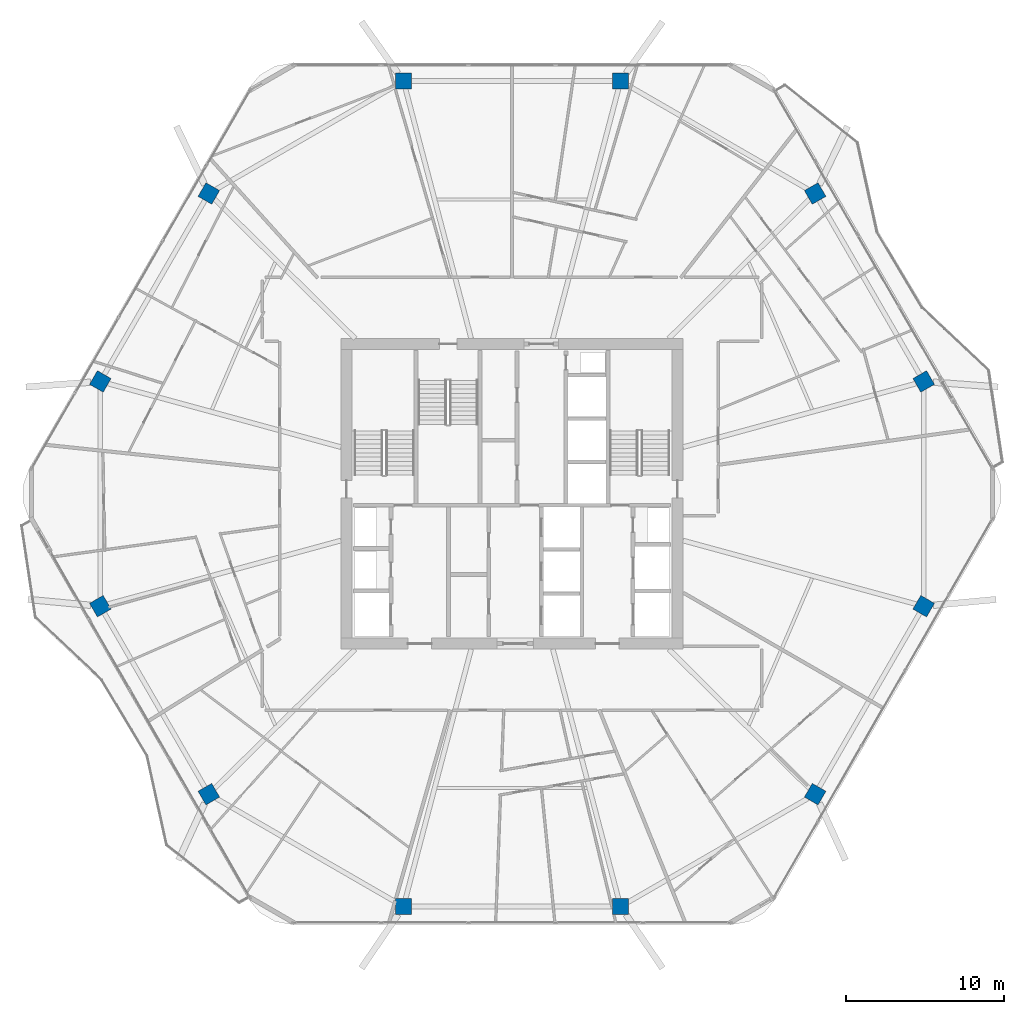
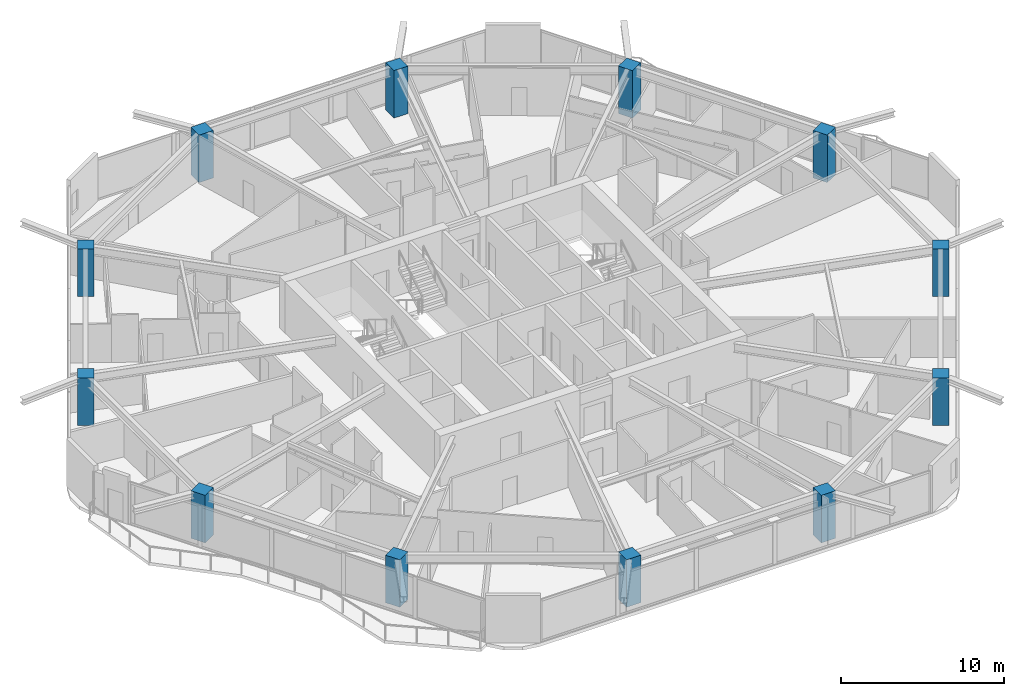
# One storey, part 1 of 26: 12 columns.
"""IFC4 building model written with IfcOpenShell, lengths in metres."""

from ifc_helpers import new_model, si_unit, direction, frame, origin, origin_2d, place, context, subcontext, project, spatial, rectangle, extrude, material, material_profile, profile_set, type_object, element, save


model = new_model("IFC4")

# Units and contexts
model_context = context("Model", 3, precision=1e-05, world=origin(), true_north=direction((0.0, 1.0)))
body_context = subcontext(model_context, "Body", "Model", "MODEL_VIEW")
ifc_project = project(units=[si_unit("LENGTHUNIT", "METRE"), si_unit("AREAUNIT", "SQUARE_METRE"), si_unit("VOLUMEUNIT", "CUBIC_METRE"), si_unit("PLANEANGLEUNIT", "RADIAN"), si_unit("MASSUNIT", "GRAM", prefix="KILO")], contexts=[model_context])

# Site, building, storey
site_placement = place(None, origin())
site = spatial("IfcSite", under=ifc_project, at=site_placement, CompositionType="ELEMENT")
building_placement = place(site_placement, origin())
building = spatial("IfcBuilding", under=site, at=building_placement, Name="Zuhravey Tower", CompositionType="ELEMENT")
storey_placement = place(building_placement, frame((0.0, 0.0, 158.0)))
storey = spatial("IfcBuildingStorey", under=building, at=storey_placement, Name="L39", CompositionType="ELEMENT", Elevation=158.0)

# Columns
ifc_material = material(Name="Concrete C60/75", Category="concrete")
ifc_material_profile = material_profile(ifc_material, rectangle(XDim=1.0, YDim=1.0, at=origin_2d()), Name="RC-1000x1000")
ifc_profile_set = profile_set([ifc_material_profile], Name="Concrete C60/75")
column_type = type_object("IfcColumnType", Name="Zone 2 Perimeter Column 1000x1000", PredefinedType="COLUMN", material=ifc_profile_set)
for number, where, z_axis, x_axis, name in (
    (1, (62.107666015625, 39.12646484375, 0.0), (0.0, 0.0, 1.0), (-0.5, 0.866025403784, 0.0), "L39 Perimeter Column PC01"),
    (2, (55.2255859375, 51.046630859375, 0.0), (0.0, 0.0, 1.0), (-0.5, 0.866025403784, 0.0), "L39 Perimeter Column PC02"),
    (3, (42.882080078125, 58.173095703125, 0.0), (0.0, 0.0, 1.0), (-1.0, 0.0, 0.0), "L39 Perimeter Column PC03"),
    (4, (29.117919921875, 58.173095703125, 0.0), (0.0, 0.0, 1.0), (-1.0, 0.0, 0.0), "L39 Perimeter Column PC04"),
    (5, (16.7744140625, 51.046630859375, 0.0), (0.0, 0.0, 1.0), (-0.5, -0.866025403784, 0.0), "L39 Perimeter Column PC05"),
    (6, (9.892333984375, 39.12646484375, 0.0), (0.0, 0.0, 1.0), (-0.5, -0.866025403784, 0.0), "L39 Perimeter Column PC06"),
    (7, (9.892333984375, 24.87353515625, 0.0), (0.0, 0.0, 1.0), (0.5, -0.866025403784, 0.0), "L39 Perimeter Column PC07"),
    (8, (16.7744140625, 12.953369140625, 0.0), (0.0, 0.0, 1.0), (0.5, -0.866025403784, 0.0), "L39 Perimeter Column PC08"),
    (9, (29.117919921875, 5.826904296875, 0.0), (0.0, 0.0, 1.0), (1.0, 0.0, 0.0), "L39 Perimeter Column PC09"),
    (10, (42.882080078125, 5.826904296875, 0.0), (0.0, 0.0, 1.0), (1.0, 0.0, 0.0), "L39 Perimeter Column PC10"),
    (11, (55.2255859375, 12.953369140625, 0.0), (0.0, 0.0, 1.0), (0.5, 0.866025403784, 0.0), "L39 Perimeter Column PC11"),
    (12, (62.107666015625, 24.87353515625, 0.0), (0.0, 0.0, 1.0), (0.5, 0.866025403784, 0.0), "L39 Perimeter Column PC12"),
):
    element("IfcColumn", number, at=place(storey_placement, frame(where, z_axis=z_axis, x_axis=x_axis)), inside=storey, type_object=column_type, Name=name, PredefinedType="COLUMN", context=body_context, shape_type="SweptSolid", body=[
        extrude(rectangle(XDim=1.0, YDim=1.0, at=origin_2d()), origin(), (0.0, 0.0, 1.0), 3.550048828125),
    ])

save(model, "model.ifc")
